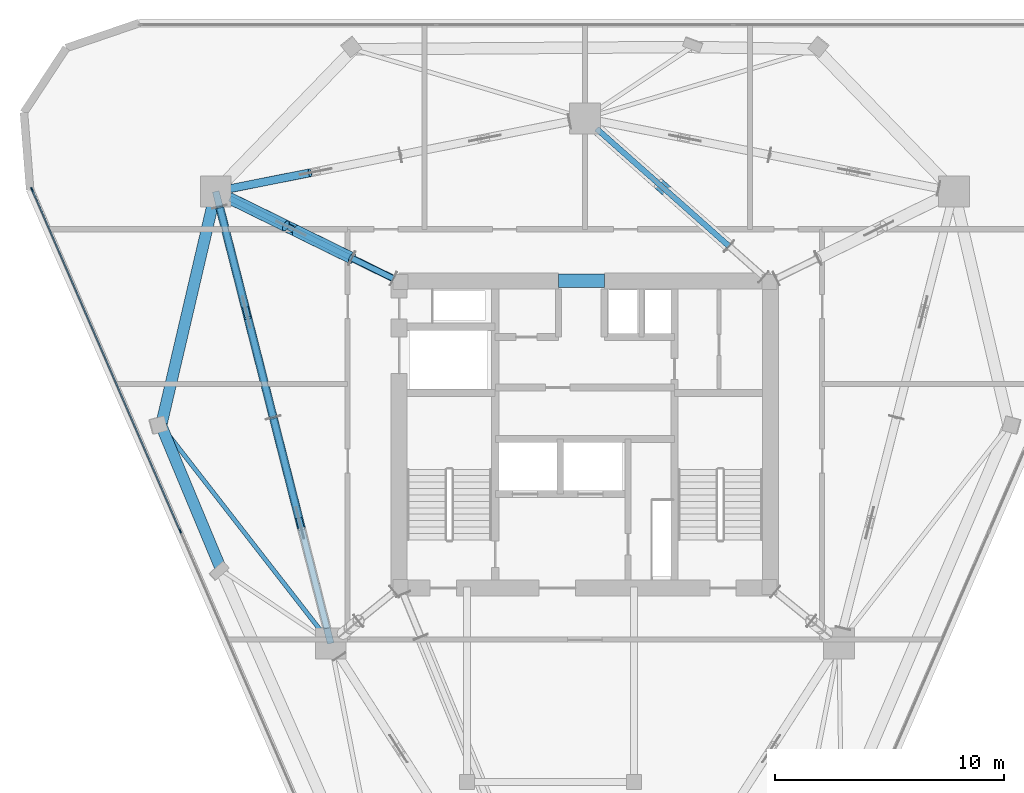
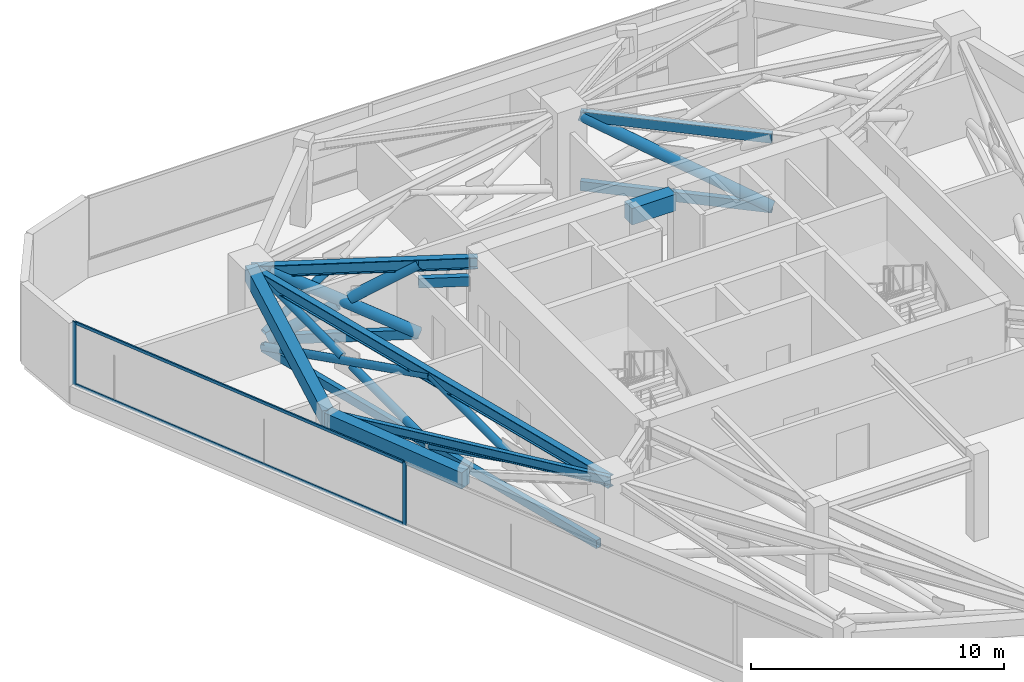
# One storey, part 5 of 12: 24 members, 6 beams, 1 element without a shape of its own.
"""IFC4 building model written with IfcOpenShell, lengths in metres."""

import ifcopenshell
import ifcopenshell.guid

model = None  # the IFC model being written
_history = None  # IfcOwnerHistory: only IFC2X3 demands one
_inside = {}  # id of a spatial element -> (the spatial element, [elements in it])
_under = {}  # id of a project, library or spatial element -> (it, [spatial elements below it])
_declared = {}  # id of a project -> (the project, [libraries it declares])
_typed = {}  # id of a type object -> (the type object, [elements of that type])
_made_of = {}  # id of a material, layer set ... -> (it, [elements and type objects made of it])


def new_model(schema):
    """Start an empty IFC model of exactly this schema.

    Asked for "IFC4X3", IfcOpenShell would pick the latest addendum, in which some entities
    have other attributes; the version numbers below select the first issue.
    IFC2X3 requires an IfcOwnerHistory on every rooted entity: one is made here for all.
    """
    global model, _history
    if schema == "IFC4X3":
        model = ifcopenshell.file(schema_version=(4, 3, 0, 0))
    else:
        model = ifcopenshell.file(schema=schema)
    _inside.clear()
    _under.clear()
    _declared.clear()
    _typed.clear()
    _made_of.clear()
    _history = None
    if model.schema == "IFC2X3":
        org = make("IfcOrganization", Name="unknown")
        user = make(
            "IfcPersonAndOrganization",
            ThePerson=make("IfcPerson", FamilyName="unknown"),
            TheOrganization=org,
        )
        app = make(
            "IfcApplication",
            ApplicationDeveloper=org,
            Version="unknown",
            ApplicationFullName="unknown",
            ApplicationIdentifier="unknown",
        )
        _history = make(
            "IfcOwnerHistory",
            OwningUser=user,
            OwningApplication=app,
            ChangeAction="ADDED",
            CreationDate=0,
        )
    return model


def make(cls, **values):
    """One entity of the class cls with the attributes given. An attribute that is None is left unset."""
    return model.create_entity(
        cls, **{name: value for name, value in values.items() if value is not None}
    )


def rooted(cls, **values):
    """An entity with a GlobalId (a new one), such as an element, a storey or a relation."""
    return make(cls, GlobalId=ifcopenshell.guid.new(), OwnerHistory=_history, **values)


def si_unit(unit_type, name, prefix=None):
    """IfcSIUnit, for example si_unit("LENGTHUNIT", "METRE", prefix="MILLI")."""
    return make("IfcSIUnit", UnitType=unit_type, Prefix=prefix, Name=name)


def assignment(units):
    """IfcUnitAssignment: the units of a project."""
    return None if units is None else make("IfcUnitAssignment", Units=units)


def point(xyz):
    """IfcCartesianPoint."""
    return None if xyz is None else make("IfcCartesianPoint", Coordinates=xyz)


def direction(xyz):
    """IfcDirection."""
    return None if xyz is None else make("IfcDirection", DirectionRatios=xyz)


def frame(location, z_axis=None, x_axis=None):
    """IfcAxis2Placement3D, a coordinate frame: its origin and axes. An axis left out is left unset."""
    return make(
        "IfcAxis2Placement3D",
        Location=point(location),
        Axis=direction(z_axis),
        RefDirection=direction(x_axis),
    )


def frame_2d(location, x_axis=None):
    """IfcAxis2Placement2D, a coordinate frame in the plane: its origin and x axis."""
    return make(
        "IfcAxis2Placement2D", Location=point(location), RefDirection=direction(x_axis)
    )


def origin():
    """The frame at (0, 0, 0) with its axes left unset."""
    return frame((0.0, 0.0, 0.0))


def origin_2d():
    """The frame at (0, 0) in the plane with its x axis left unset."""
    return frame_2d((0.0, 0.0))


def place(relative_to, where):
    """IfcLocalPlacement: puts the frame where relative to a parent placement (None: the world)."""
    return make(
        "IfcLocalPlacement", PlacementRelTo=relative_to, RelativePlacement=where
    )


def context(
    kind, dimensions, precision=None, world=None, true_north=None, identifier=None
):
    """IfcGeometricRepresentationContext, for example the 3D "Model" context."""
    return make(
        "IfcGeometricRepresentationContext",
        ContextIdentifier=identifier,
        ContextType=kind,
        CoordinateSpaceDimension=dimensions,
        Precision=precision,
        WorldCoordinateSystem=world,
        TrueNorth=true_north,
    )


def subcontext(parent, identifier, kind, view, scale=None):
    """IfcGeometricRepresentationSubContext, for example "Body" below "Model"."""
    return make(
        "IfcGeometricRepresentationSubContext",
        ContextIdentifier=identifier,
        ContextType=kind,
        ParentContext=parent,
        TargetScale=scale,
        TargetView=view,
    )


def project(units=None, contexts=None):
    """IfcProject with its units and contexts."""
    return rooted(
        "IfcProject",
        Name="project",
        RepresentationContexts=contexts,
        UnitsInContext=assignment(units),
    )


def spatial(cls, under=None, at=None, **own):
    """A site, building, storey or space (cls), placed at a placement, below another one or the project."""
    s = rooted(cls, ObjectPlacement=at, **own)
    if under is not None:
        _under.setdefault(under.id(), (under, []))[1].append(s)
    return s


def profile(cls, at=None, kind="AREA", **sizes):
    """A parametric profile (cls). Its sizes go by their IFC names, for example OverallWidth=200.0."""
    return make(cls, ProfileType=kind, Position=at, **sizes)


def rectangle(**sizes):
    """IfcRectangleProfileDef."""
    return profile("IfcRectangleProfileDef", **sizes)


def hollow_rectangle(**sizes):
    """IfcRectangleHollowProfileDef."""
    return profile("IfcRectangleHollowProfileDef", **sizes)


def hollow_circle(**sizes):
    """IfcCircleHollowProfileDef."""
    return profile("IfcCircleHollowProfileDef", **sizes)


def i_section(**sizes):
    """IfcIShapeProfileDef."""
    return profile("IfcIShapeProfileDef", **sizes)


def extrude(swept, where, along, depth):
    """IfcExtrudedAreaSolid: the profile swept, set in the frame where, extruded along a direction by depth."""
    return make(
        "IfcExtrudedAreaSolid",
        SweptArea=swept,
        Position=where,
        ExtrudedDirection=direction(along),
        Depth=depth,
    )


def shape(context_of_items, identifier, shape_type, items):
    """IfcShapeRepresentation: the items that make up one representation, for example the "Body"."""
    return make(
        "IfcShapeRepresentation",
        ContextOfItems=context_of_items,
        RepresentationIdentifier=identifier,
        RepresentationType=shape_type,
        Items=items,
    )


def material(Name=None, Category=None):
    """IfcMaterial."""
    return make("IfcMaterial", Name=Name, Category=Category)


def layer(
    of_material, thickness, ventilated=None, Name=None, Category=None, Priority=None
):
    """IfcMaterialLayer: one layer of a wall or slab, of a material (None: an air gap)."""
    return make(
        "IfcMaterialLayer",
        Material=of_material,
        LayerThickness=thickness,
        IsVentilated=ventilated,
        Name=Name,
        Category=Category,
        Priority=Priority,
    )


def layer_set(layers, Name=None):
    """IfcMaterialLayerSet."""
    return make("IfcMaterialLayerSet", MaterialLayers=layers, LayerSetName=Name)


def material_profile(
    of_material, cross_section, Name=None, Category=None, Priority=None
):
    """IfcMaterialProfile: a cross section and its material."""
    return make(
        "IfcMaterialProfile",
        Name=Name,
        Material=of_material,
        Profile=cross_section,
        Priority=Priority,
        Category=Category,
    )


def profile_set(profiles, Name=None, composite=None):
    """IfcMaterialProfileSet."""
    return make(
        "IfcMaterialProfileSet",
        Name=Name,
        MaterialProfiles=profiles,
        CompositeProfile=composite,
    )


def made_of(thing, what):
    """Note that an element or type object is made of a material, layer set ...; save() writes the relation."""
    if what is not None:
        _made_of.setdefault(what.id(), (what, []))[1].append(thing)
    return thing


def type_object(cls, material=None, **own):
    """A type object (cls), such as IfcWallType, which elements share."""
    return made_of(rooted(cls, **own), material)


def element(
    cls,
    number,
    at=None,
    inside=None,
    cuts=None,
    type_object=None,
    material=None,
    context=None,
    identifier="Body",
    shape_type=None,
    held_by="IfcProductDefinitionShape",
    body=None,
    shapes=None,
    **own,
):
    """One element of the class cls, such as IfcWall. Its Tag is "e" and its number.

    at: its placement. inside: the storey or other place that contains it. cuts: it is an
    opening in that element (IfcRelVoidsElement). A single representation is given by context,
    identifier, shape_type and body (its items); several are given by shapes. held_by: the class
    of the entity that holds the representations. save() writes the other relations.
    """
    e = rooted(cls, Tag="e%d" % number, ObjectPlacement=at, **own)
    if body is not None:
        shapes = [shape(context, identifier, shape_type, body)]
    if shapes is not None:
        e.Representation = make(held_by, Representations=shapes)
    if inside is not None:
        _inside.setdefault(inside.id(), (inside, []))[1].append(e)
    if cuts is not None:
        rooted(
            "IfcRelVoidsElement", RelatingBuildingElement=cuts, RelatedOpeningElement=e
        )
    if type_object is not None:
        _typed.setdefault(type_object.id(), (type_object, []))[1].append(e)
    return made_of(e, material)


def aggregate(whole, parts):
    """IfcRelAggregates: a whole, such as a stair, and the parts it consists of."""
    return rooted("IfcRelAggregates", RelatingObject=whole, RelatedObjects=parts)


def save(model, path):
    """Write the relations noted so far, then the file.

    IfcRelAggregates (storeys below a building ...), IfcRelContainedInSpatialStructure (elements
    in a storey), IfcRelDefinesByType, IfcRelAssociatesMaterial and IfcRelDeclares: one each for
    every whole, place, type object, material and project.
    """
    for whole, parts in _under.values():
        aggregate(whole, parts)
    for where, things in _inside.values():
        rooted(
            "IfcRelContainedInSpatialStructure",
            RelatedElements=things,
            RelatingStructure=where,
        )
    for kind, things in _typed.values():
        rooted("IfcRelDefinesByType", RelatedObjects=things, RelatingType=kind)
    for what, things in _made_of.values():
        rooted("IfcRelAssociatesMaterial", RelatedObjects=things, RelatingMaterial=what)
    for by, libraries in _declared.values():
        rooted("IfcRelDeclares", RelatingContext=by, RelatedDefinitions=libraries)
    model.write(path)


model = new_model("IFC4")

# Units and contexts
model_context = context("Model", 3, precision=1e-05, world=origin(), true_north=direction((0.0, 1.0)))
body_context = subcontext(model_context, "Body", "Model", "MODEL_VIEW")
ifc_project = project(units=[si_unit("LENGTHUNIT", "METRE"), si_unit("AREAUNIT", "SQUARE_METRE"), si_unit("VOLUMEUNIT", "CUBIC_METRE"), si_unit("PLANEANGLEUNIT", "RADIAN"), si_unit("MASSUNIT", "GRAM", prefix="KILO")], contexts=[model_context])

# Site, building, storey
site_placement = place(None, origin())
site = spatial("IfcSite", under=ifc_project, at=site_placement, CompositionType="ELEMENT")
building_placement = place(site_placement, origin())
building = spatial("IfcBuilding", under=site, at=building_placement, Name="Talyreon Biosciences Tower", CompositionType="ELEMENT")
storey_placement = place(building_placement, frame((0.0, 0.0, 223.199951171875)))
storey = spatial("IfcBuildingStorey", under=building, at=storey_placement, Name="L59", CompositionType="ELEMENT", Elevation=223.199951171875)

# Members
ifc_material_1 = material(Name="Steel SM355", Category="steel")
ifc_material_profile_1 = material_profile(ifc_material_1, hollow_circle(Radius=0.177734375, WallThickness=0.01416015625, at=origin_2d()), Name="CHS 355.6x14.2")
ifc_profile_set_1 = profile_set([ifc_material_profile_1], Name="Steel SM355")
member_type_1 = type_object("IfcMemberType", Name="BeltBrace_CHS355", PredefinedType="BRACE", material=ifc_profile_set_1)
member_1_placement = place(storey_placement, frame((50.569580078125, 78.731689453125, 0.239990234375), z_axis=(0.895633809037, 0.177473479661, 0.407851988013), x_axis=(-0.194374740894, 0.980927347005, 0.0)))
element("IfcMember", 1, at=member_1_placement, inside=storey, type_object=member_type_1, Name="L59 Split Diagonal BELT-L59-B4S2B-Lower", PredefinedType="BRACE", context=body_context, shape_type="SweptSolid", body=[
    extrude(hollow_circle(Radius=0.177734375, WallThickness=0.01416015625, at=origin_2d()), origin(), (0.0, 0.0, 1.0), 3.83935546875),
])
member_2_placement = place(storey_placement, frame((50.06640625, 77.934814453125, 0.239990234375), z_axis=(0.232410501623, -0.913536749438, 0.333820260262), x_axis=(0.969129151675, 0.246553619673, 0.0)))
element("IfcMember", 2, at=member_2_placement, inside=storey, type_object=member_type_1, Name="L59 Continuous Diagonal BELT-L59-B5S1A", PredefinedType="BRACE", context=body_context, shape_type="SweptSolid", body=[
    extrude(hollow_circle(Radius=0.177734375, WallThickness=0.01416015625, at=origin_2d()), origin(), (0.0, 0.0, 1.0), 10.065673828125),
])
for number, where, z_axis, x_axis, name in (
    (3, (52.40576171875, 68.739501953125, 0.239990234375), (-0.232390170682, 0.913533774404, 0.333842555097), (-0.969134113213, -0.246534116519, 0.0), "L59 Split Diagonal BELT-L59-B5S1B-Lower"),
    (4, (51.1708984375, 73.593017578125, 2.013427734375), (-0.232390170682, 0.913533774404, 0.333842555097), (-0.969134113213, -0.246534116519, 0.0), "L59 Split Diagonal BELT-L59-B5S1B-Upper"),
):
    element("IfcMember", number, at=place(storey_placement, frame(where, z_axis=z_axis, x_axis=x_axis)), inside=storey, type_object=member_type_1, Name=name, PredefinedType="BRACE", context=body_context, shape_type="SweptSolid", body=[
        extrude(hollow_circle(Radius=0.177734375, WallThickness=0.01416015625, at=origin_2d()), origin(), (0.0, 0.0, 1.0), 4.752685546875),
    ])
member_3_placement = place(storey_placement, frame((52.40576171875, 68.739501953125, 0.239990234375), z_axis=(0.232387556643, -0.913541898906, 0.333822141956), x_axis=(0.969135299617, 0.246529452677, 0.0)))
element("IfcMember", 5, at=member_3_placement, inside=storey, type_object=member_type_1, Name="L59 Continuous Diagonal BELT-L59-B5S2A", PredefinedType="BRACE", context=body_context, shape_type="SweptSolid", body=[
    extrude(hollow_circle(Radius=0.177734375, WallThickness=0.01416015625, at=origin_2d()), origin(), (0.0, 0.0, 1.0), 10.065673828125),
])
member_4_placement = place(storey_placement, frame((53.51025390625, 64.397705078125, 2.013427734375), z_axis=(-0.232390170682, 0.913533774404, 0.333842555097), x_axis=(-0.969134113213, -0.246534116519, 0.0)))
element("IfcMember", 6, at=member_4_placement, inside=storey, type_object=member_type_1, Name="L59 Split Diagonal BELT-L59-B5S2B-Upper", PredefinedType="BRACE", context=body_context, shape_type="SweptSolid", body=[
    extrude(hollow_circle(Radius=0.177734375, WallThickness=0.01416015625, at=origin_2d()), origin(), (0.0, 0.0, 1.0), 4.752685546875),
])
ifc_material_profile_2 = material_profile(ifc_material_1, hollow_rectangle(XDim=0.25, YDim=0.39990234375, WallThickness=0.01611328125, at=origin_2d()), Name="RHS 400x250x16")
ifc_profile_set_2 = profile_set([ifc_material_profile_2], Name="Steel SM355")
member_type_2 = type_object("IfcMemberType", Name="BeltChord_RHS400x250", PredefinedType="CHORD", material=ifc_profile_set_2)
for number, where, z_axis, x_axis, name in (
    (7, (50.06640625, 77.934814453125, 0.239990234375), (0.246553619673, -0.969129151675, 0.0), (0.969129151675, 0.246553619673, 0.0), "L59 Truss Bottom Chord BELT-L59-B5S1"),
    (8, (50.06640625, 77.934814453125, 3.60009765625), (0.246553619673, -0.969129151675, 0.0), (0.969129151675, 0.246553619673, 0.0), "L59 Truss Top Chord BELT-L59-B5S1"),
    (9, (52.40576171875, 68.739501953125, 0.239990234375), (0.246529452677, -0.969135299617, 0.0), (0.969135299617, 0.246529452677, 0.0), "L59 Truss Bottom Chord BELT-L59-B5S2"),
    (10, (52.40576171875, 68.739501953125, 3.60009765625), (0.246529452677, -0.969135299617, 0.0), (0.969135299617, 0.246529452677, 0.0), "L59 Truss Top Chord BELT-L59-B5S2"),
):
    element("IfcMember", number, at=place(storey_placement, frame(where, z_axis=z_axis, x_axis=x_axis)), inside=storey, type_object=member_type_2, Name=name, PredefinedType="CHORD", context=body_context, shape_type="SweptSolid", body=[
        extrude(hollow_rectangle(XDim=0.25, YDim=0.39990234375, WallThickness=0.01611328125, at=origin_2d()), origin(), (0.0, 0.0, 1.0), 9.48828125),
    ])

# Curtain wall, members
ifc_material_2 = material(Name="Thermally broken aluminium and low-E glazing", Category="aluminium")
ifc_layer = layer(ifc_material_2, 0.179931640625)
ifc_layer_set = layer_set([ifc_layer], Name="Thermally broken aluminium and low-E glazing")
curtain_wall_type = type_object("IfcCurtainWallType", Name="CurtainWall_Zone4Optical", PredefinedType="NOTDEFINED", material=ifc_layer_set)
curtain_wall_placement = place(storey_placement, origin())
curtain_wall = element("IfcCurtainWall", 11, at=curtain_wall_placement, inside=storey, type_object=curtain_wall_type, Name="L59 Unitised Curtain Wall FCW-L59-00", PredefinedType="NOTDEFINED")
ifc_material_3 = material(Name="Anodised thermally broken aluminium", Category="aluminium")
ifc_material_profile_3 = material_profile(ifc_material_3, rectangle(XDim=0.06494140625, YDim=0.179931640625, at=origin_2d()), Name="ALUM MULLION 65x180")
ifc_profile_set_3 = profile_set([ifc_material_profile_3], Name="Anodised thermally broken aluminium")
member_type_3 = type_object("IfcMemberType", Name="CWMullion_65x180", PredefinedType="MULLION", material=ifc_profile_set_3)
member_5_placement = place(storey_placement, frame((48.3466796875, 63.785888671875, 0.81005859375), z_axis=(0.0, 0.0, 1.0), x_axis=(-0.917336640876, -0.398112405366, 0.0)))
member_5 = element("IfcMember", 12, at=member_5_placement, type_object=member_type_3, Name="CW5 mullion 3", PredefinedType="MULLION", context=body_context, shape_type="SweptSolid", body=[
    extrude(rectangle(XDim=0.06494140625, YDim=0.179931640625, at=origin_2d()), origin(), (0.0, 0.0, 1.0), 3.0400390625),
])
member_6_placement = place(storey_placement, frame((41.881591796875, 78.683349609375, 0.81005859375), z_axis=(0.0, 0.0, 1.0), x_axis=(-0.917336640876, -0.398112405366, 0.0)))
member_6 = element("IfcMember", 13, at=member_6_placement, type_object=member_type_3, Name="CW5 mullion 4", PredefinedType="MULLION", context=body_context, shape_type="SweptSolid", body=[
    extrude(rectangle(XDim=0.06494140625, YDim=0.179931640625, at=origin_2d()), origin(), (0.0, 0.0, 1.0), 3.0400390625),
])
ifc_material_profile_4 = material_profile(ifc_material_3, rectangle(XDim=0.06494140625, YDim=0.139892578125, at=origin_2d()), Name="ALUM TRANSOM 65x140")
ifc_profile_set_4 = profile_set([ifc_material_profile_4], Name="Anodised thermally broken aluminium")
member_type_4 = type_object("IfcMemberType", Name="CWTransom_65x140", PredefinedType="USERDEFINED", material=ifc_profile_set_4)
member_7_placement = place(storey_placement, frame((48.333740234375, 63.815673828125, 0.842529296875), z_axis=(-0.398099588732, 0.917342203025, 0.0), x_axis=(-0.917342203025, -0.398099588732, 0.0)))
member_7 = element("IfcMember", 14, at=member_7_placement, type_object=member_type_4, Name="CW5 transom 3.1", ObjectType="TRANSOM", PredefinedType="USERDEFINED", context=body_context, shape_type="SweptSolid", body=[
    extrude(rectangle(XDim=0.06494140625, YDim=0.139892578125, at=origin_2d()), origin(), (0.0, 0.0, 1.0), 16.1748046875),
])
member_8_placement = place(storey_placement, frame((48.333740234375, 63.815673828125, 3.817626953125), z_axis=(-0.398099588732, 0.917342203025, 0.0), x_axis=(-0.917342203025, -0.398099588732, 0.0)))
member_8 = element("IfcMember", 15, at=member_8_placement, type_object=member_type_4, Name="CW5 transom 3.2", ObjectType="TRANSOM", PredefinedType="USERDEFINED", context=body_context, shape_type="SweptSolid", body=[
    extrude(rectangle(XDim=0.06494140625, YDim=0.139892578125, at=origin_2d()), origin(), (0.0, 0.0, 1.0), 16.1748046875),
])
aggregate(curtain_wall, [member_5, member_6, member_7, member_8])

# Beams
ifc_material_4 = material(Name="Concrete C50/60", Category="concrete")
ifc_material_profile_5 = material_profile(ifc_material_4, rectangle(XDim=0.60009765625, YDim=0.800048828125, at=origin_2d()), Name="RCB 600x800")
ifc_profile_set_5 = profile_set([ifc_material_profile_5], Name="Concrete C50/60")
beam_type_1 = type_object("IfcBeamType", Name="CoreCouplingLintel_600x800", PredefinedType="LINTEL", material=ifc_profile_set_5)
beam_1_placement = place(storey_placement, frame((64.85009765625, 74.699951171875, 3.449951171875), z_axis=(1.0, 0.0, 0.0), x_axis=(0.0, 1.0, 0.0)))
element("IfcBeam", 16, at=beam_1_placement, inside=storey, type_object=beam_type_1, Name="L59 Core Coupling Lintel", PredefinedType="LINTEL", context=body_context, shape_type="SweptSolid", body=[
    extrude(rectangle(XDim=0.60009765625, YDim=0.800048828125, at=origin_2d()), origin(), (0.0, 0.0, 1.0), 2.0),
])
ifc_material_5 = material(Name="Precast concrete C45/55", Category="concrete")
ifc_material_profile_6 = material_profile(ifc_material_5, rectangle(XDim=0.5, YDim=0.780029296875, at=origin_2d()), Name="RCB 500x780")
ifc_profile_set_6 = profile_set([ifc_material_profile_6], Name="Precast concrete C45/55")
beam_type_2 = type_object("IfcBeamType", Name="ExpressedSpandrel_500x780", PredefinedType="SPANDREL", material=ifc_profile_set_6)
beam_2_placement = place(storey_placement, frame((49.897705078125, 78.5986328125, 3.4599609375), z_axis=(-0.227379822725, -0.973806149199, 0.0), x_axis=(0.973806149199, -0.227379822725, 0.0)))
element("IfcBeam", 17, at=beam_2_placement, inside=storey, type_object=beam_type_2, Name="L59 Expressed Horizontal Concrete Spandrel 09", PredefinedType="SPANDREL", context=body_context, shape_type="SweptSolid", body=[
    extrude(rectangle(XDim=0.5, YDim=0.780029296875, at=origin_2d()), origin(), (0.0, 0.0, 1.0), 10.481689453125),
])
beam_3_placement = place(storey_placement, frame((47.514404296875, 68.3916015625, 3.4599609375), z_axis=(0.384648354936, -0.923063184752, 0.0), x_axis=(0.923063184752, 0.384648354936, 0.0)))
element("IfcBeam", 18, at=beam_3_placement, inside=storey, type_object=beam_type_2, Name="L59 Expressed Horizontal Concrete Spandrel 10", PredefinedType="SPANDREL", context=body_context, shape_type="SweptSolid", body=[
    extrude(rectangle(XDim=0.5, YDim=0.780029296875, at=origin_2d()), origin(), (0.0, 0.0, 1.0), 6.835205078125),
])

# Members
ifc_material_profile_7 = material_profile(ifc_material_1, hollow_circle(Radius=0.25390625, WallThickness=0.02001953125, at=origin_2d()), Name="CHS 508x20")
ifc_profile_set_7 = profile_set([ifc_material_profile_7], Name="Steel SM355")
member_type_5 = type_object("IfcMemberType", Name="OutriggerBrace_CHS508", PredefinedType="BRACE", material=ifc_profile_set_7)
member_9_placement = place(storey_placement, frame((72.291748046875, 76.209228515625, 0.239990234375), z_axis=(-0.686075818497, 0.60843146577, 0.398887355947), x_axis=(-0.663502192119, -0.748174338676, 0.0)))
element("IfcMember", 19, at=member_9_placement, inside=storey, type_object=member_type_5, Name="L59 Continuous Diagonal OUT-L59-R4A", PredefinedType="BRACE", context=body_context, shape_type="SweptSolid", body=[
    extrude(hollow_circle(Radius=0.25390625, WallThickness=0.02001953125, at=origin_2d()), origin(), (0.0, 0.0, 1.0), 8.423583984375),
])
member_10_placement = place(storey_placement, frame((55.840087890625, 75.684814453125, 0.239990234375), z_axis=(-0.78128397453, 0.383105198087, 0.492773536568), x_axis=(-0.440271049639, -0.897864913475, 0.0)))
element("IfcMember", 20, at=member_10_placement, inside=storey, type_object=member_type_5, Name="L59 Continuous Diagonal OUT-L59-R5A", PredefinedType="BRACE", context=body_context, shape_type="SweptSolid", body=[
    extrude(hollow_circle(Radius=0.25390625, WallThickness=0.02001953125, at=origin_2d()), origin(), (0.0, 0.0, 1.0), 6.81884765625),
])
for number, where, z_axis, x_axis, name in (
    (21, (50.5126953125, 78.297119140625, 0.239990234375), (0.781271636668, -0.383146096233, 0.4927612999), (0.440314544014, 0.897843584557, 0.0), "L59 Split Diagonal OUT-L59-R5B-Lower"),
    (22, (53.39501953125, 76.883544921875, 2.05810546875), (0.781325381532, -0.383056178065, 0.492745991988), (0.440206824056, 0.897896403854, 0.0), "L59 Split Diagonal OUT-L59-R5B-Upper"),
):
    element("IfcMember", number, at=place(storey_placement, frame(where, z_axis=z_axis, x_axis=x_axis)), inside=storey, type_object=member_type_5, Name=name, PredefinedType="BRACE", context=body_context, shape_type="SweptSolid", body=[
        extrude(hollow_circle(Radius=0.25390625, WallThickness=0.02001953125, at=origin_2d()), origin(), (0.0, 0.0, 1.0), 3.12939453125),
    ])
ifc_material_profile_8 = material_profile(ifc_material_1, hollow_rectangle(XDim=0.25, YDim=0.449951171875, WallThickness=0.01611328125, at=origin_2d()), Name="RHS 450x250x16")
ifc_profile_set_8 = profile_set([ifc_material_profile_8], Name="Steel SM355")
member_type_6 = type_object("IfcMemberType", Name="OutriggerChord_RHS450x250", PredefinedType="CHORD", material=ifc_profile_set_8)
for number, where, z_axis, x_axis, name in (
    (23, (72.291748046875, 76.209228515625, 0.239990234375), (-0.748174338676, 0.663502192119, 0.0), (-0.663502192119, -0.748174338676, 0.0), "L59 Truss Bottom Chord OUT-L59-R4"),
    (24, (72.291748046875, 76.209228515625, 3.60009765625), (-0.748174338676, 0.663502192119, 0.0), (-0.663502192119, -0.748174338676, 0.0), "L59 Truss Top Chord OUT-L59-R4"),
):
    element("IfcMember", number, at=place(storey_placement, frame(where, z_axis=z_axis, x_axis=x_axis)), inside=storey, type_object=member_type_6, Name=name, PredefinedType="CHORD", context=body_context, shape_type="SweptSolid", body=[
        extrude(hollow_rectangle(XDim=0.25, YDim=0.449951171875, WallThickness=0.01611328125, at=origin_2d()), origin(), (0.0, 0.0, 1.0), 7.724609375),
    ])
for number, where, z_axis, x_axis, name in (
    (25, (57.649169921875, 74.797607421875, 3.60009765625), (-0.897841833821, 0.440318113914, 0.0), (-0.440318113914, -0.897841833821, 0.0), "L59 Outrigger Core Top Tie 5"),
    (26, (57.649169921875, 74.797607421875, 2.699951171875), (-0.897841833821, 0.440318113914, 0.0), (-0.440318113914, -0.897841833821, 0.0), "L59 Outrigger Core Plenum Tie 5"),
):
    element("IfcMember", number, at=place(storey_placement, frame(where, z_axis=z_axis, x_axis=x_axis)), inside=storey, type_object=member_type_6, Name=name, PredefinedType="CHORD", context=body_context, shape_type="SweptSolid", body=[
        extrude(hollow_rectangle(XDim=0.25, YDim=0.449951171875, WallThickness=0.01611328125, at=origin_2d()), origin(), (0.0, 0.0, 1.0), 2.014892578125),
    ])
for number, where, z_axis, x_axis, name in (
    (27, (55.840087890625, 75.684814453125, 0.239990234375), (-0.897864913475, 0.440271049639, 0.0), (-0.440271049639, -0.897864913475, 0.0), "L59 Truss Bottom Chord OUT-L59-R5"),
    (28, (55.840087890625, 75.684814453125, 3.60009765625), (-0.897864913475, 0.440271049639, 0.0), (-0.440271049639, -0.897864913475, 0.0), "L59 Truss Top Chord OUT-L59-R5"),
):
    element("IfcMember", number, at=place(storey_placement, frame(where, z_axis=z_axis, x_axis=x_axis)), inside=storey, type_object=member_type_6, Name=name, PredefinedType="CHORD", context=body_context, shape_type="SweptSolid", body=[
        extrude(hollow_rectangle(XDim=0.25, YDim=0.449951171875, WallThickness=0.01611328125, at=origin_2d()), origin(), (0.0, 0.0, 1.0), 5.933349609375),
    ])

# Beams
ifc_material_profile_9 = material_profile(ifc_material_1, i_section(OverallWidth=0.300048828125, OverallDepth=0.550048828125, WebThickness=0.014892578125, FlangeThickness=0.029052734375, FilletRadius=0.027099609375, at=origin_2d()), Name="HE550B")
ifc_profile_set_9 = profile_set([ifc_material_profile_9], Name="Steel SM355")
beam_type_3 = type_object("IfcBeamType", Name="SteelBeam_HE550B", PredefinedType="BEAM", material=ifc_profile_set_9)
beam_4_placement = place(storey_placement, frame((49.897705078125, 78.5986328125, 3.574951171875), z_axis=(0.246537082299, -0.969133358755, 0.0), x_axis=(0.969133358755, 0.246537082299, 0.0)))
element("IfcBeam", 29, at=beam_4_placement, inside=storey, type_object=beam_type_3, Name="L59 Mega-Ring Girder 5", PredefinedType="BEAM", context=body_context, shape_type="SweptSolid", body=[
    extrude(i_section(OverallWidth=0.300048828125, OverallDepth=0.550048828125, WebThickness=0.014892578125, FlangeThickness=0.029052734375, FilletRadius=0.027099609375, at=origin_2d()), origin(), (0.0, 0.0, 1.0), 20.34619140625),
])
beam_5_placement = place(storey_placement, frame((57.949951171875, 74.64990234375, 3.574951171875), z_axis=(-0.897852360314, 0.440296648952, 0.0), x_axis=(-0.440296648952, -0.897852360314, 0.0)))
element("IfcBeam", 30, at=beam_5_placement, inside=storey, type_object=beam_type_3, Name="L59 Radial Primary Girder 5", PredefinedType="BEAM", context=body_context, shape_type="SweptSolid", body=[
    extrude(i_section(OverallWidth=0.300048828125, OverallDepth=0.550048828125, WebThickness=0.014892578125, FlangeThickness=0.029052734375, FilletRadius=0.027099609375, at=origin_2d()), origin(), (0.0, 0.0, 1.0), 8.96826171875),
])
ifc_material_profile_10 = material_profile(ifc_material_1, i_section(OverallWidth=0.18994140625, OverallDepth=0.449951171875, WebThickness=0.009521484375, FlangeThickness=0.0146484375, FilletRadius=0.02099609375, at=origin_2d()), Name="IPE450")
ifc_profile_set_10 = profile_set([ifc_material_profile_10], Name="Steel SM355")
beam_type_4 = type_object("IfcBeamType", Name="SteelJoist_IPE450", PredefinedType="JOIST", material=ifc_profile_set_10)
beam_6_placement = place(storey_placement, frame((54.913818359375, 58.88037109375, 3.625), z_axis=(-0.614033180868, 0.789280211834, 0.0), x_axis=(-0.789280211834, -0.614033180868, 0.0)))
element("IfcBeam", 31, at=beam_6_placement, inside=storey, type_object=beam_type_4, Name="L59 Radial Composite Floor Joist PC-SW1", PredefinedType="JOIST", context=body_context, shape_type="SweptSolid", body=[
    extrude(i_section(OverallWidth=0.18994140625, OverallDepth=0.449951171875, WebThickness=0.009521484375, FlangeThickness=0.0146484375, FilletRadius=0.02099609375, at=origin_2d()), origin(), (0.0, 0.0, 1.0), 12.050537109375),
])

save(model, "model.ifc")
